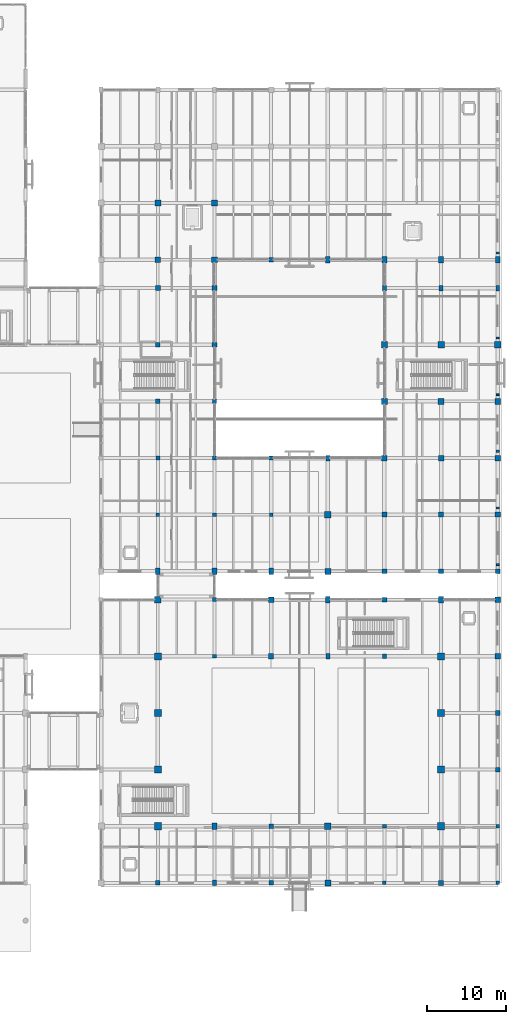
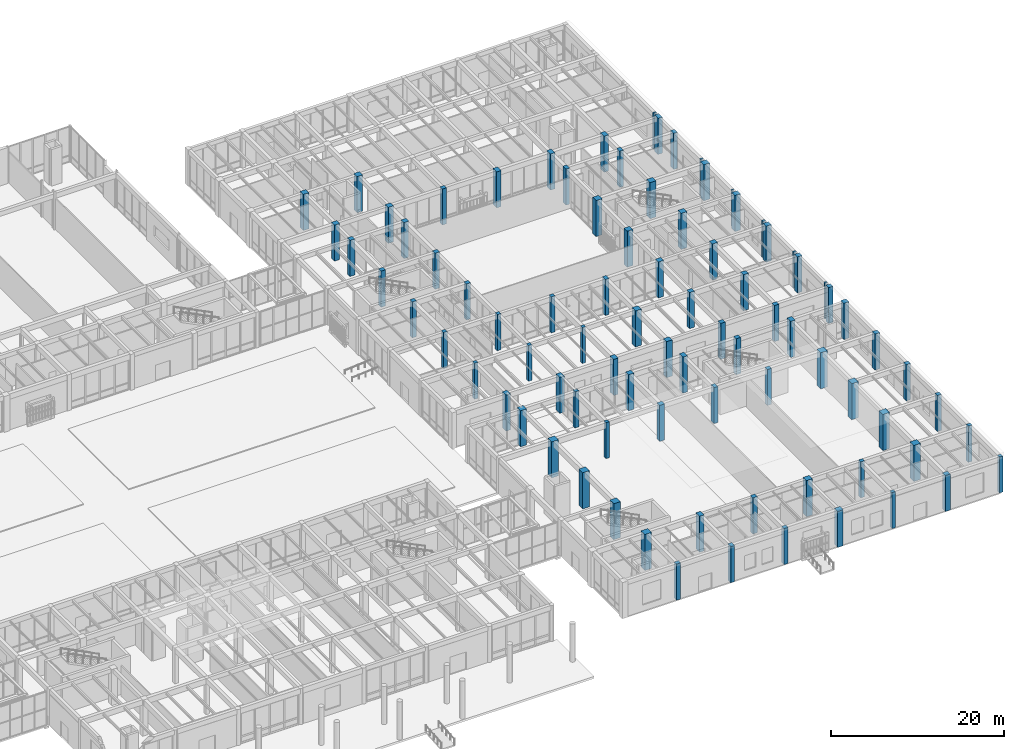
# One storey, part 16 of 169: 85 columns.
"""IFC4 building model written with IfcOpenShell, lengths in metres."""

from ifc_helpers import new_model, si_unit, direction, frame, origin, origin_2d, place, context, subcontext, project, spatial, rectangle, extrude, material, material_profile, profile_set, type_object, element, save


model = new_model("IFC4")

# Units and contexts
model_context = context("Model", 3, precision=1e-05, world=origin(), true_north=direction((0.0, 1.0)))
body_context = subcontext(model_context, "Body", "Model", "MODEL_VIEW")
ifc_project = project(units=[si_unit("LENGTHUNIT", "METRE"), si_unit("AREAUNIT", "SQUARE_METRE"), si_unit("VOLUMEUNIT", "CUBIC_METRE"), si_unit("PLANEANGLEUNIT", "RADIAN"), si_unit("MASSUNIT", "GRAM", prefix="KILO")], contexts=[model_context])

# Site, building, storey
site_placement = place(None, origin())
site = spatial("IfcSite", under=ifc_project, at=site_placement, CompositionType="ELEMENT")
building_placement = place(site_placement, origin())
building = spatial("IfcBuilding", under=site, at=building_placement, Name="Mazaris Harbour Polytechnic", CompositionType="ELEMENT")
storey_placement = place(building_placement, origin())
storey = spatial("IfcBuildingStorey", under=building, at=storey_placement, Name="L00", CompositionType="ELEMENT", Elevation=0.0)

# Columns
ifc_material_1 = material(Name="Concrete C35/45", Category="concrete")
ifc_material_profile_1 = material_profile(ifc_material_1, rectangle(XDim=0.320068359375, YDim=0.219970703125, at=origin_2d()), Name="RECT320x220")
ifc_profile_set_1 = profile_set([ifc_material_profile_1], Name="Concrete C35/45")
column_type_1 = type_object("IfcColumnType", Name="Limestone Pilaster 320x220", PredefinedType="PILASTER", material=ifc_profile_set_1)
column_1_placement = place(storey_placement, frame((172.800048828125, 69.25, 0.0), z_axis=(0.0, 0.0, 1.0), x_axis=(1.0, 0.0, 0.0)))
element("IfcColumn", 1, at=column_1_placement, inside=storey, type_object=column_type_1, Name="V5 L00 Giant Order Pilaster 60", PredefinedType="PILASTER", context=body_context, shape_type="SweptSolid", body=[
    extrude(rectangle(XDim=0.320068359375, YDim=0.219970703125, at=origin_2d()), origin(), (0.0, 0.0, 1.0), 5.10009765625),
])
ifc_material_2 = material(Name="Concrete C35/45", Category="concrete")
ifc_material_profile_2 = material_profile(ifc_material_2, rectangle(XDim=0.360107421875, YDim=0.239990234375, at=origin_2d()), Name="RECT360x240")
ifc_profile_set_2 = profile_set([ifc_material_profile_2], Name="Concrete C35/45")
column_type_2 = type_object("IfcColumnType", Name="Limestone Pilaster 360x240", PredefinedType="PILASTER", material=ifc_profile_set_2)
for number, where, z_axis, x_axis, name in (
    (2, (172.800048828125, 47.64990234375, 0.0), (0.0, 0.0, 1.0), (1.0, 0.0, 0.0), "V5 L00 Giant Order Pilaster 57"),
    (3, (172.800048828125, 76.449951171875, 0.0), (0.0, 0.0, 1.0), (1.0, 0.0, 0.0), "V5 L00 Giant Order Pilaster 61"),
):
    element("IfcColumn", number, at=place(storey_placement, frame(where, z_axis=z_axis, x_axis=x_axis)), inside=storey, type_object=column_type_2, Name=name, PredefinedType="PILASTER", context=body_context, shape_type="SweptSolid", body=[
        extrude(rectangle(XDim=0.360107421875, YDim=0.239990234375, at=origin_2d()), origin(), (0.0, 0.0, 1.0), 5.10009765625),
    ])
ifc_material_3 = material(Name="Concrete C35/45", Category="concrete")
ifc_material_profile_3 = material_profile(ifc_material_3, rectangle(XDim=0.39990234375, YDim=0.260009765625, at=origin_2d()), Name="RECT400x260")
ifc_profile_set_3 = profile_set([ifc_material_profile_3], Name="Concrete C35/45")
column_type_3 = type_object("IfcColumnType", Name="Limestone Pilaster 400x260", PredefinedType="PILASTER", material=ifc_profile_set_3)
for number, where, z_axis, x_axis, name in (
    (4, (172.800048828125, 54.85009765625, 0.0), (0.0, 0.0, 1.0), (1.0, 0.0, 0.0), "V5 L00 Giant Order Pilaster 58"),
    (5, (172.800048828125, 87.25, 0.0), (0.0, 0.0, 1.0), (1.0, 0.0, 0.0), "V5 L00 Giant Order Pilaster 62"),
):
    element("IfcColumn", number, at=place(storey_placement, frame(where, z_axis=z_axis, x_axis=x_axis)), inside=storey, type_object=column_type_3, Name=name, PredefinedType="PILASTER", context=body_context, shape_type="SweptSolid", body=[
        extrude(rectangle(XDim=0.39990234375, YDim=0.260009765625, at=origin_2d()), origin(), (0.0, 0.0, 1.0), 5.10009765625),
    ])
ifc_material_4 = material(Name="Concrete C35/45", Category="concrete")
ifc_material_profile_4 = material_profile(ifc_material_4, rectangle(XDim=0.43994140625, YDim=0.280029296875, at=origin_2d()), Name="RECT440x280")
ifc_profile_set_4 = profile_set([ifc_material_profile_4], Name="Concrete C35/45")
column_type_4 = type_object("IfcColumnType", Name="Limestone Pilaster 440x280", PredefinedType="PILASTER", material=ifc_profile_set_4)
column_2_placement = place(storey_placement, frame((172.800048828125, 62.050048828125, 0.0), z_axis=(0.0, 0.0, 1.0), x_axis=(1.0, 0.0, 0.0)))
element("IfcColumn", 6, at=column_2_placement, inside=storey, type_object=column_type_4, Name="V5 L00 Giant Order Pilaster 59", PredefinedType="PILASTER", context=body_context, shape_type="SweptSolid", body=[
    extrude(rectangle(XDim=0.43994140625, YDim=0.280029296875, at=origin_2d()), origin(), (0.0, 0.0, 1.0), 5.10009765625),
])
ifc_material_5 = material(Name="Concrete C40/50", Category="concrete")
ifc_material_profile_5 = material_profile(ifc_material_5, rectangle(XDim=0.449951171875, YDim=0.449951171875, at=origin_2d()), Name="RECT450x450")
ifc_profile_set_5 = profile_set([ifc_material_profile_5], Name="Concrete C40/50")
column_type_5 = type_object("IfcColumnType", Name="RC Column 450x450", PredefinedType="COLUMN", material=ifc_profile_set_5)
for number, where, z_axis, x_axis, name in (
    (7, (136.800048828125, 36.0, 0.0), (0.0, 0.0, 1.0), (1.0, 0.0, 0.0), "V2 L00 Column 239"),
    (8, (129.60009765625, 54.0, 0.0), (0.0, 0.0, 1.0), (1.0, 0.0, 0.0), "V5 L00 Column 1189"),
    (9, (136.800048828125, 54.0, 0.0), (0.0, 0.0, 1.0), (1.0, 0.0, 0.0), "V5 L00 Column 1199"),
    (10, (144.0, 54.0, 0.0), (0.0, 0.0, 1.0), (1.0, 0.0, 0.0), "V5 L00 Column 1209"),
):
    element("IfcColumn", number, at=place(storey_placement, frame(where, z_axis=z_axis, x_axis=x_axis)), inside=storey, type_object=column_type_5, Name=name, PredefinedType="COLUMN", context=body_context, shape_type="SweptSolid", body=[
        extrude(rectangle(XDim=0.449951171875, YDim=0.449951171875, at=origin_2d()), origin(), (0.0, 0.0, 1.0), 5.10009765625),
    ])
ifc_material_6 = material(Name="Concrete C40/50", Category="concrete")
ifc_material_profile_6 = material_profile(ifc_material_6, rectangle(XDim=0.449951171875, YDim=0.449951171875, at=origin_2d()), Name="RECT450x450")
ifc_profile_set_6 = profile_set([ifc_material_profile_6], Name="Concrete C40/50")
column_type_6 = type_object("IfcColumnType", Name="RC Column 450x450 Exterior", PredefinedType="COLUMN", material=ifc_profile_set_6)
for number, where, z_axis, x_axis, name in (
    (11, (158.39990234375, 7.199951171875, 0.0), (0.0, 0.0, 1.0), (1.0, 0.0, 0.0), "V2 L00 Column 249"),
    (12, (172.800048828125, 7.199951171875, 0.0), (0.0, 0.0, 1.0), (1.0, 0.0, 0.0), "V2 L00 Column 259"),
):
    element("IfcColumn", number, at=place(storey_placement, frame(where, z_axis=z_axis, x_axis=x_axis)), inside=storey, type_object=column_type_6, Name=name, PredefinedType="COLUMN", context=body_context, shape_type="SweptSolid", body=[
        extrude(rectangle(XDim=0.449951171875, YDim=0.449951171875, at=origin_2d()), origin(), (0.0, 0.0, 1.0), 5.10009765625),
    ])
ifc_material_7 = material(Name="Concrete C40/50", Category="concrete")
ifc_material_profile_7 = material_profile(ifc_material_7, rectangle(XDim=0.5, YDim=0.5, at=origin_2d()), Name="RECT500x500")
ifc_profile_set_7 = profile_set([ifc_material_profile_7], Name="Concrete C40/50")
column_type_7 = type_object("IfcColumnType", Name="RC Column 500x500", PredefinedType="COLUMN", material=ifc_profile_set_7)
for number, where, z_axis, x_axis, name in (
    (13, (158.39990234375, 14.39990234375, 0.0), (0.0, 0.0, 1.0), (1.0, 0.0, 0.0), "V2 L00 Column 250"),
    (14, (129.60009765625, 61.199951171875, 0.0), (0.0, 0.0, 1.0), (1.0, 0.0, 0.0), "V5 L00 Column 1190"),
    (15, (136.800048828125, 61.199951171875, 0.0), (0.0, 0.0, 1.0), (1.0, 0.0, 0.0), "V5 L00 Column 1200"),
    (16, (144.0, 61.199951171875, 0.0), (0.0, 0.0, 1.0), (1.0, 0.0, 0.0), "V5 L00 Column 1210"),
):
    element("IfcColumn", number, at=place(storey_placement, frame(where, z_axis=z_axis, x_axis=x_axis)), inside=storey, type_object=column_type_7, Name=name, PredefinedType="COLUMN", context=body_context, shape_type="SweptSolid", body=[
        extrude(rectangle(XDim=0.5, YDim=0.5, at=origin_2d()), origin(), (0.0, 0.0, 1.0), 5.10009765625),
    ])
ifc_material_8 = material(Name="Concrete C40/50", Category="concrete")
ifc_material_profile_8 = material_profile(ifc_material_8, rectangle(XDim=0.5, YDim=0.5, at=origin_2d()), Name="RECT500x500")
ifc_profile_set_8 = profile_set([ifc_material_profile_8], Name="Concrete C40/50")
column_type_8 = type_object("IfcColumnType", Name="RC Column 500x500 Exterior", PredefinedType="COLUMN", material=ifc_profile_set_8)
for number, where, z_axis, x_axis, name in (
    (17, (136.800048828125, 43.199951171875, 0.0), (0.0, 0.0, 1.0), (1.0, 0.0, 0.0), "V2 L00 Column 240"),
    (18, (172.800048828125, 14.39990234375, 0.0), (0.0, 0.0, 1.0), (1.0, 0.0, 0.0), "V2 L00 Column 260"),
):
    element("IfcColumn", number, at=place(storey_placement, frame(where, z_axis=z_axis, x_axis=x_axis)), inside=storey, type_object=column_type_8, Name=name, PredefinedType="COLUMN", context=body_context, shape_type="SweptSolid", body=[
        extrude(rectangle(XDim=0.5, YDim=0.5, at=origin_2d()), origin(), (0.0, 0.0, 1.0), 5.10009765625),
    ])
ifc_material_9 = material(Name="Concrete C40/50", Category="concrete")
ifc_material_profile_9 = material_profile(ifc_material_9, rectangle(XDim=0.5, YDim=0.699951171875, at=origin_2d()), Name="RECT500x700")
ifc_profile_set_9 = profile_set([ifc_material_profile_9], Name="Concrete C40/50")
column_type_9 = type_object("IfcColumnType", Name="RC Column 500x700", PredefinedType="COLUMN", material=ifc_profile_set_9)
for number, where, z_axis, x_axis, name in (
    (19, (151.199951171875, 36.0, 0.0), (0.0, 0.0, 1.0), (1.0, 0.0, 0.0), "V2 L00 Column 247"),
    (20, (151.199951171875, 61.199951171875, 0.0), (0.0, 0.0, 1.0), (1.0, 0.0, 0.0), "V5 L00 Column 1217"),
    (21, (158.39990234375, 82.800048828125, 0.0), (0.0, 0.0, 1.0), (1.0, 0.0, 0.0), "V5 L00 Column 1227"),
    (22, (165.60009765625, 82.800048828125, 0.0), (0.0, 0.0, 1.0), (1.0, 0.0, 0.0), "V5 L00 Column 1237"),
):
    element("IfcColumn", number, at=place(storey_placement, frame(where, z_axis=z_axis, x_axis=x_axis)), inside=storey, type_object=column_type_9, Name=name, PredefinedType="COLUMN", context=body_context, shape_type="SweptSolid", body=[
        extrude(rectangle(XDim=0.5, YDim=0.699951171875, at=origin_2d()), origin(), (0.0, 0.0, 1.0), 5.10009765625),
    ])
ifc_material_10 = material(Name="Concrete C40/50", Category="concrete")
ifc_material_profile_10 = material_profile(ifc_material_10, rectangle(XDim=0.5, YDim=0.699951171875, at=origin_2d()), Name="RECT500x700")
ifc_profile_set_10 = profile_set([ifc_material_profile_10], Name="Concrete C40/50")
column_type_10 = type_object("IfcColumnType", Name="RC Column 500x700 Exterior", PredefinedType="COLUMN", material=ifc_profile_set_10)
for number, where, z_axis, x_axis, name in (
    (23, (136.800048828125, 7.199951171875, 0.0), (0.0, 0.0, 1.0), (1.0, 0.0, 0.0), "V2 L00 Column 237"),
    (24, (172.800048828125, 82.800048828125, 0.0), (0.0, 0.0, 1.0), (1.0, 0.0, 0.0), "V5 L00 Column 1247"),
):
    element("IfcColumn", number, at=place(storey_placement, frame(where, z_axis=z_axis, x_axis=x_axis)), inside=storey, type_object=column_type_10, Name=name, PredefinedType="COLUMN", context=body_context, shape_type="SweptSolid", body=[
        extrude(rectangle(XDim=0.5, YDim=0.699951171875, at=origin_2d()), origin(), (0.0, 0.0, 1.0), 5.10009765625),
    ])
ifc_material_11 = material(Name="Concrete C40/50", Category="concrete")
ifc_material_profile_11 = material_profile(ifc_material_11, rectangle(XDim=0.550048828125, YDim=0.550048828125, at=origin_2d()), Name="RECT550x550")
ifc_profile_set_11 = profile_set([ifc_material_profile_11], Name="Concrete C40/50")
column_type_11 = type_object("IfcColumnType", Name="RC Column 550x550", PredefinedType="COLUMN", material=ifc_profile_set_11)
for number, where, z_axis, x_axis, name in (
    (25, (158.39990234375, 36.0, 0.0), (0.0, 0.0, 1.0), (1.0, 0.0, 0.0), "V2 L00 Column 251"),
    (26, (129.60009765625, 68.39990234375, 0.0), (0.0, 0.0, 1.0), (1.0, 0.0, 0.0), "V5 L00 Column 1191"),
    (27, (136.800048828125, 68.39990234375, 0.0), (0.0, 0.0, 1.0), (1.0, 0.0, 0.0), "V5 L00 Column 1201"),
    (28, (144.0, 86.39990234375, 0.0), (0.0, 0.0, 1.0), (1.0, 0.0, 0.0), "V5 L00 Column 1211"),
):
    element("IfcColumn", number, at=place(storey_placement, frame(where, z_axis=z_axis, x_axis=x_axis)), inside=storey, type_object=column_type_11, Name=name, PredefinedType="COLUMN", context=body_context, shape_type="SweptSolid", body=[
        extrude(rectangle(XDim=0.550048828125, YDim=0.550048828125, at=origin_2d()), origin(), (0.0, 0.0, 1.0), 5.10009765625),
    ])
ifc_material_12 = material(Name="Concrete C40/50", Category="concrete")
ifc_material_profile_12 = material_profile(ifc_material_12, rectangle(XDim=0.550048828125, YDim=0.550048828125, at=origin_2d()), Name="RECT550x550")
ifc_profile_set_12 = profile_set([ifc_material_profile_12], Name="Concrete C40/50")
column_type_12 = type_object("IfcColumnType", Name="RC Column 550x550 Exterior", PredefinedType="COLUMN", material=ifc_profile_set_12)
for number, where, z_axis, x_axis, name in (
    (29, (129.60009765625, 7.199951171875, 0.0), (0.0, 0.0, 1.0), (1.0, 0.0, 0.0), "V2 L00 Column 231"),
    (30, (144.0, 7.199951171875, 0.0), (0.0, 0.0, 1.0), (1.0, 0.0, 0.0), "V2 L00 Column 241"),
    (31, (172.800048828125, 21.60009765625, 0.0), (0.0, 0.0, 1.0), (1.0, 0.0, 0.0), "V2 L00 Column 261"),
):
    element("IfcColumn", number, at=place(storey_placement, frame(where, z_axis=z_axis, x_axis=x_axis)), inside=storey, type_object=column_type_12, Name=name, PredefinedType="COLUMN", context=body_context, shape_type="SweptSolid", body=[
        extrude(rectangle(XDim=0.550048828125, YDim=0.550048828125, at=origin_2d()), origin(), (0.0, 0.0, 1.0), 5.10009765625),
    ])
ifc_material_13 = material(Name="Concrete C40/50", Category="concrete")
ifc_material_profile_13 = material_profile(ifc_material_13, rectangle(XDim=0.60009765625, YDim=0.60009765625, at=origin_2d()), Name="RECT600x600")
ifc_profile_set_13 = profile_set([ifc_material_profile_13], Name="Concrete C40/50")
column_type_13 = type_object("IfcColumnType", Name="RC Column 600x600", PredefinedType="COLUMN", material=ifc_profile_set_13)
for number, where, z_axis, x_axis, name in (
    (32, (144.0, 14.39990234375, 0.0), (0.0, 0.0, 1.0), (1.0, 0.0, 0.0), "V2 L00 Column 242"),
    (33, (129.60009765625, 75.60009765625, 0.0), (0.0, 0.0, 1.0), (1.0, 0.0, 0.0), "V5 L00 Column 1192"),
    (34, (136.800048828125, 75.60009765625, 0.0), (0.0, 0.0, 1.0), (1.0, 0.0, 0.0), "V5 L00 Column 1202"),
):
    element("IfcColumn", number, at=place(storey_placement, frame(where, z_axis=z_axis, x_axis=x_axis)), inside=storey, type_object=column_type_13, Name=name, PredefinedType="COLUMN", context=body_context, shape_type="SweptSolid", body=[
        extrude(rectangle(XDim=0.60009765625, YDim=0.60009765625, at=origin_2d()), origin(), (0.0, 0.0, 1.0), 5.10009765625),
    ])
ifc_material_14 = material(Name="Concrete C40/50", Category="concrete")
ifc_material_profile_14 = material_profile(ifc_material_14, rectangle(XDim=0.60009765625, YDim=0.60009765625, at=origin_2d()), Name="RECT600x600")
ifc_profile_set_14 = profile_set([ifc_material_profile_14], Name="Concrete C40/50")
column_type_14 = type_object("IfcColumnType", Name="RC Column 600x600 Exterior", PredefinedType="COLUMN", material=ifc_profile_set_14)
for number, where, z_axis, x_axis, name in (
    (35, (158.39990234375, 43.199951171875, 0.0), (0.0, 0.0, 1.0), (1.0, 0.0, 0.0), "V2 L00 Column 252"),
    (36, (172.800048828125, 28.800048828125, 0.0), (0.0, 0.0, 1.0), (1.0, 0.0, 0.0), "V2 L00 Column 262"),
    (37, (158.39990234375, 46.800048828125, 0.0), (0.0, 0.0, 1.0), (1.0, 0.0, 0.0), "V5 L00 Column 1222"),
    (38, (165.60009765625, 46.800048828125, 0.0), (0.0, 0.0, 1.0), (1.0, 0.0, 0.0), "V5 L00 Column 1232"),
    (39, (172.800048828125, 46.800048828125, 0.0), (0.0, 0.0, 1.0), (1.0, 0.0, 0.0), "V5 L00 Column 1242"),
):
    element("IfcColumn", number, at=place(storey_placement, frame(where, z_axis=z_axis, x_axis=x_axis)), inside=storey, type_object=column_type_14, Name=name, PredefinedType="COLUMN", context=body_context, shape_type="SweptSolid", body=[
        extrude(rectangle(XDim=0.60009765625, YDim=0.60009765625, at=origin_2d()), origin(), (0.0, 0.0, 1.0), 5.10009765625),
    ])
ifc_material_15 = material(Name="Concrete C40/50", Category="concrete")
ifc_material_profile_15 = material_profile(ifc_material_15, rectangle(XDim=0.60009765625, YDim=0.85009765625, at=origin_2d()), Name="RECT600x850")
ifc_profile_set_15 = profile_set([ifc_material_profile_15], Name="Concrete C40/50")
column_type_15 = type_object("IfcColumnType", Name="RC Column 600x850", PredefinedType="COLUMN", material=ifc_profile_set_15)
for number, where, z_axis, x_axis, name in (
    (40, (136.800048828125, 14.39990234375, 0.0), (0.0, 0.0, 1.0), (1.0, 0.0, 0.0), "V2 L00 Column 238"),
    (41, (151.199951171875, 86.39990234375, 0.0), (0.0, 0.0, 1.0), (1.0, 0.0, 0.0), "V5 L00 Column 1218"),
    (42, (158.39990234375, 86.39990234375, 0.0), (0.0, 0.0, 1.0), (1.0, 0.0, 0.0), "V5 L00 Column 1228"),
    (43, (165.60009765625, 86.39990234375, 0.0), (0.0, 0.0, 1.0), (1.0, 0.0, 0.0), "V5 L00 Column 1238"),
):
    element("IfcColumn", number, at=place(storey_placement, frame(where, z_axis=z_axis, x_axis=x_axis)), inside=storey, type_object=column_type_15, Name=name, PredefinedType="COLUMN", context=body_context, shape_type="SweptSolid", body=[
        extrude(rectangle(XDim=0.60009765625, YDim=0.85009765625, at=origin_2d()), origin(), (0.0, 0.0, 1.0), 5.10009765625),
    ])
ifc_material_16 = material(Name="Concrete C40/50", Category="concrete")
ifc_material_profile_16 = material_profile(ifc_material_16, rectangle(XDim=0.60009765625, YDim=0.85009765625, at=origin_2d()), Name="RECT600x850")
ifc_profile_set_16 = profile_set([ifc_material_profile_16], Name="Concrete C40/50")
column_type_16 = type_object("IfcColumnType", Name="RC Column 600x850 Exterior", PredefinedType="COLUMN", material=ifc_profile_set_16)
for number, where, z_axis, x_axis, name in (
    (44, (151.199951171875, 43.199951171875, 0.0), (0.0, 0.0, 1.0), (1.0, 0.0, 0.0), "V2 L00 Column 248"),
    (45, (165.60009765625, 43.199951171875, 0.0), (0.0, 0.0, 1.0), (1.0, 0.0, 0.0), "V2 L00 Column 258"),
    (46, (129.60009765625, 46.800048828125, 0.0), (0.0, 0.0, 1.0), (1.0, 0.0, 0.0), "V5 L00 Column 1188"),
    (47, (136.800048828125, 46.800048828125, 0.0), (0.0, 0.0, 1.0), (1.0, 0.0, 0.0), "V5 L00 Column 1198"),
    (48, (144.0, 46.800048828125, 0.0), (0.0, 0.0, 1.0), (1.0, 0.0, 0.0), "V5 L00 Column 1208"),
    (49, (172.800048828125, 86.39990234375, 0.0), (0.0, 0.0, 1.0), (1.0, 0.0, 0.0), "V5 L00 Column 1248"),
):
    element("IfcColumn", number, at=place(storey_placement, frame(where, z_axis=z_axis, x_axis=x_axis)), inside=storey, type_object=column_type_16, Name=name, PredefinedType="COLUMN", context=body_context, shape_type="SweptSolid", body=[
        extrude(rectangle(XDim=0.60009765625, YDim=0.85009765625, at=origin_2d()), origin(), (0.0, 0.0, 1.0), 5.10009765625),
    ])
ifc_material_17 = material(Name="Concrete C40/50", Category="concrete")
ifc_material_profile_17 = material_profile(ifc_material_17, rectangle(XDim=0.64990234375, YDim=0.64990234375, at=origin_2d()), Name="RECT650x650")
ifc_profile_set_17 = profile_set([ifc_material_profile_17], Name="Concrete C40/50")
column_type_17 = type_object("IfcColumnType", Name="RC Column 650x650", PredefinedType="COLUMN", material=ifc_profile_set_17)
for number, where, z_axis, x_axis, name in (
    (50, (144.0, 36.0, 0.0), (0.0, 0.0, 1.0), (1.0, 0.0, 0.0), "V2 L00 Column 243"),
    (51, (129.60009765625, 82.800048828125, 0.0), (0.0, 0.0, 1.0), (1.0, 0.0, 0.0), "V5 L00 Column 1193"),
    (52, (136.800048828125, 82.800048828125, 0.0), (0.0, 0.0, 1.0), (1.0, 0.0, 0.0), "V5 L00 Column 1203"),
    (53, (158.39990234375, 54.0, 0.0), (0.0, 0.0, 1.0), (1.0, 0.0, 0.0), "V5 L00 Column 1223"),
    (54, (165.60009765625, 54.0, 0.0), (0.0, 0.0, 1.0), (1.0, 0.0, 0.0), "V5 L00 Column 1233"),
):
    element("IfcColumn", number, at=place(storey_placement, frame(where, z_axis=z_axis, x_axis=x_axis)), inside=storey, type_object=column_type_17, Name=name, PredefinedType="COLUMN", context=body_context, shape_type="SweptSolid", body=[
        extrude(rectangle(XDim=0.64990234375, YDim=0.64990234375, at=origin_2d()), origin(), (0.0, 0.0, 1.0), 5.10009765625),
    ])
ifc_material_18 = material(Name="Concrete C40/50", Category="concrete")
ifc_material_profile_18 = material_profile(ifc_material_18, rectangle(XDim=0.64990234375, YDim=0.64990234375, at=origin_2d()), Name="RECT650x650")
ifc_profile_set_18 = profile_set([ifc_material_profile_18], Name="Concrete C40/50")
column_type_18 = type_object("IfcColumnType", Name="RC Column 650x650 Exterior", PredefinedType="COLUMN", material=ifc_profile_set_18)
for number, where, z_axis, x_axis, name in (
    (55, (165.60009765625, 7.199951171875, 0.0), (0.0, 0.0, 1.0), (1.0, 0.0, 0.0), "V2 L00 Column 253"),
    (56, (172.800048828125, 36.0, 0.0), (0.0, 0.0, 1.0), (1.0, 0.0, 0.0), "V2 L00 Column 263"),
    (57, (172.800048828125, 54.0, 0.0), (0.0, 0.0, 1.0), (1.0, 0.0, 0.0), "V5 L00 Column 1243"),
):
    element("IfcColumn", number, at=place(storey_placement, frame(where, z_axis=z_axis, x_axis=x_axis)), inside=storey, type_object=column_type_18, Name=name, PredefinedType="COLUMN", context=body_context, shape_type="SweptSolid", body=[
        extrude(rectangle(XDim=0.64990234375, YDim=0.64990234375, at=origin_2d()), origin(), (0.0, 0.0, 1.0), 5.10009765625),
    ])
ifc_material_19 = material(Name="Concrete C40/50", Category="concrete")
ifc_material_profile_19 = material_profile(ifc_material_19, rectangle(XDim=0.699951171875, YDim=0.699951171875, at=origin_2d()), Name="RECT700x700")
ifc_profile_set_19 = profile_set([ifc_material_profile_19], Name="Concrete C40/50")
column_type_19 = type_object("IfcColumnType", Name="RC Column 700x700", PredefinedType="COLUMN", material=ifc_profile_set_19)
for number, where, z_axis, x_axis, name in (
    (58, (129.60009765625, 86.39990234375, 0.0), (0.0, 0.0, 1.0), (1.0, 0.0, 0.0), "V5 L00 Column 1194"),
    (59, (136.800048828125, 86.39990234375, 0.0), (0.0, 0.0, 1.0), (1.0, 0.0, 0.0), "V5 L00 Column 1204"),
    (60, (158.39990234375, 61.199951171875, 0.0), (0.0, 0.0, 1.0), (1.0, 0.0, 0.0), "V5 L00 Column 1224"),
    (61, (165.60009765625, 61.199951171875, 0.0), (0.0, 0.0, 1.0), (1.0, 0.0, 0.0), "V5 L00 Column 1234"),
):
    element("IfcColumn", number, at=place(storey_placement, frame(where, z_axis=z_axis, x_axis=x_axis)), inside=storey, type_object=column_type_19, Name=name, PredefinedType="COLUMN", context=body_context, shape_type="SweptSolid", body=[
        extrude(rectangle(XDim=0.699951171875, YDim=0.699951171875, at=origin_2d()), origin(), (0.0, 0.0, 1.0), 5.10009765625),
    ])
ifc_material_20 = material(Name="Concrete C40/50", Category="concrete")
ifc_material_profile_20 = material_profile(ifc_material_20, rectangle(XDim=0.699951171875, YDim=0.699951171875, at=origin_2d()), Name="RECT700x700")
ifc_profile_set_20 = profile_set([ifc_material_profile_20], Name="Concrete C40/50")
column_type_20 = type_object("IfcColumnType", Name="RC Column 700x700 Exterior", PredefinedType="COLUMN", material=ifc_profile_set_20)
for number, where, z_axis, x_axis, name in (
    (62, (144.0, 43.199951171875, 0.0), (0.0, 0.0, 1.0), (1.0, 0.0, 0.0), "V2 L00 Column 244"),
    (63, (172.800048828125, 43.199951171875, 0.0), (0.0, 0.0, 1.0), (1.0, 0.0, 0.0), "V2 L00 Column 264"),
    (64, (172.800048828125, 61.199951171875, 0.0), (0.0, 0.0, 1.0), (1.0, 0.0, 0.0), "V5 L00 Column 1244"),
):
    element("IfcColumn", number, at=place(storey_placement, frame(where, z_axis=z_axis, x_axis=x_axis)), inside=storey, type_object=column_type_20, Name=name, PredefinedType="COLUMN", context=body_context, shape_type="SweptSolid", body=[
        extrude(rectangle(XDim=0.699951171875, YDim=0.699951171875, at=origin_2d()), origin(), (0.0, 0.0, 1.0), 5.10009765625),
    ])
ifc_material_21 = material(Name="Concrete C40/50", Category="concrete")
ifc_material_profile_21 = material_profile(ifc_material_21, rectangle(XDim=0.75, YDim=0.75, at=origin_2d()), Name="RECT750x750")
ifc_profile_set_21 = profile_set([ifc_material_profile_21], Name="Concrete C40/50")
column_type_21 = type_object("IfcColumnType", Name="RC Column 750x750", PredefinedType="COLUMN", material=ifc_profile_set_21)
for number, where, z_axis, x_axis, name in (
    (65, (129.60009765625, 93.60009765625, 0.0), (0.0, 0.0, 1.0), (1.0, 0.0, 0.0), "V5 L00 Column 1195"),
    (66, (136.800048828125, 93.60009765625, 0.0), (0.0, 0.0, 1.0), (1.0, 0.0, 0.0), "V5 L00 Column 1205"),
    (67, (158.39990234375, 68.39990234375, 0.0), (0.0, 0.0, 1.0), (1.0, 0.0, 0.0), "V5 L00 Column 1225"),
    (68, (165.60009765625, 68.39990234375, 0.0), (0.0, 0.0, 1.0), (1.0, 0.0, 0.0), "V5 L00 Column 1235"),
):
    element("IfcColumn", number, at=place(storey_placement, frame(where, z_axis=z_axis, x_axis=x_axis)), inside=storey, type_object=column_type_21, Name=name, PredefinedType="COLUMN", context=body_context, shape_type="SweptSolid", body=[
        extrude(rectangle(XDim=0.75, YDim=0.75, at=origin_2d()), origin(), (0.0, 0.0, 1.0), 5.10009765625),
    ])
ifc_material_22 = material(Name="Concrete C40/50", Category="concrete")
ifc_material_profile_22 = material_profile(ifc_material_22, rectangle(XDim=0.75, YDim=0.75, at=origin_2d()), Name="RECT750x750")
ifc_profile_set_22 = profile_set([ifc_material_profile_22], Name="Concrete C40/50")
column_type_22 = type_object("IfcColumnType", Name="RC Column 750x750 Exterior", PredefinedType="COLUMN", material=ifc_profile_set_22)
for number, where, z_axis, x_axis, name in (
    (69, (151.199951171875, 7.199951171875, 0.0), (0.0, 0.0, 1.0), (1.0, 0.0, 0.0), "V2 L00 Column 245"),
    (70, (151.199951171875, 46.800048828125, 0.0), (0.0, 0.0, 1.0), (1.0, 0.0, 0.0), "V5 L00 Column 1215"),
    (71, (172.800048828125, 68.39990234375, 0.0), (0.0, 0.0, 1.0), (1.0, 0.0, 0.0), "V5 L00 Column 1245"),
):
    element("IfcColumn", number, at=place(storey_placement, frame(where, z_axis=z_axis, x_axis=x_axis)), inside=storey, type_object=column_type_22, Name=name, PredefinedType="COLUMN", context=body_context, shape_type="SweptSolid", body=[
        extrude(rectangle(XDim=0.75, YDim=0.75, at=origin_2d()), origin(), (0.0, 0.0, 1.0), 5.10009765625),
    ])
ifc_material_23 = material(Name="Concrete C40/50", Category="concrete")
ifc_material_profile_23 = material_profile(ifc_material_23, rectangle(XDim=0.800048828125, YDim=0.800048828125, at=origin_2d()), Name="RECT800x800")
ifc_profile_set_23 = profile_set([ifc_material_profile_23], Name="Concrete C40/50")
column_type_23 = type_object("IfcColumnType", Name="RC Column 800x800", PredefinedType="COLUMN", material=ifc_profile_set_23)
for number, where, z_axis, x_axis, name in (
    (72, (151.199951171875, 14.39990234375, 0.0), (0.0, 0.0, 1.0), (1.0, 0.0, 0.0), "V2 L00 Column 246"),
    (73, (151.199951171875, 54.0, 0.0), (0.0, 0.0, 1.0), (1.0, 0.0, 0.0), "V5 L00 Column 1216"),
    (74, (158.39990234375, 75.60009765625, 0.0), (0.0, 0.0, 1.0), (1.0, 0.0, 0.0), "V5 L00 Column 1226"),
    (75, (165.60009765625, 75.60009765625, 0.0), (0.0, 0.0, 1.0), (1.0, 0.0, 0.0), "V5 L00 Column 1236"),
):
    element("IfcColumn", number, at=place(storey_placement, frame(where, z_axis=z_axis, x_axis=x_axis)), inside=storey, type_object=column_type_23, Name=name, PredefinedType="COLUMN", context=body_context, shape_type="SweptSolid", body=[
        extrude(rectangle(XDim=0.800048828125, YDim=0.800048828125, at=origin_2d()), origin(), (0.0, 0.0, 1.0), 5.10009765625),
    ])
ifc_material_24 = material(Name="Concrete C40/50", Category="concrete")
ifc_material_profile_24 = material_profile(ifc_material_24, rectangle(XDim=0.800048828125, YDim=0.800048828125, at=origin_2d()), Name="RECT800x800")
ifc_profile_set_24 = profile_set([ifc_material_profile_24], Name="Concrete C40/50")
column_type_24 = type_object("IfcColumnType", Name="RC Column 800x800 Exterior", PredefinedType="COLUMN", material=ifc_profile_set_24)
for number, where, z_axis, x_axis, name in (
    (76, (129.60009765625, 43.199951171875, 0.0), (0.0, 0.0, 1.0), (1.0, 0.0, 0.0), "V2 L00 Column 236"),
    (77, (172.800048828125, 75.60009765625, 0.0), (0.0, 0.0, 1.0), (1.0, 0.0, 0.0), "V5 L00 Column 1246"),
):
    element("IfcColumn", number, at=place(storey_placement, frame(where, z_axis=z_axis, x_axis=x_axis)), inside=storey, type_object=column_type_24, Name=name, PredefinedType="COLUMN", context=body_context, shape_type="SweptSolid", body=[
        extrude(rectangle(XDim=0.800048828125, YDim=0.800048828125, at=origin_2d()), origin(), (0.0, 0.0, 1.0), 5.10009765625),
    ])
ifc_material_25 = material(Name="Concrete C40/50", Category="concrete")
ifc_material_profile_25 = material_profile(ifc_material_25, rectangle(XDim=0.89990234375, YDim=0.89990234375, at=origin_2d()), Name="RECT900x900")
ifc_profile_set_25 = profile_set([ifc_material_profile_25], Name="Concrete C40/50")
column_type_25 = type_object("IfcColumnType", Name="RC Column 900x900", PredefinedType="COLUMN", material=ifc_profile_set_25)
for number, where, z_axis, x_axis, name in (
    (78, (129.60009765625, 14.39990234375, 0.0), (0.0, 0.0, 1.0), (1.0, 0.0, 0.0), "V2 L00 Column 232"),
    (79, (129.60009765625, 21.60009765625, 0.0), (0.0, 0.0, 1.0), (1.0, 0.0, 0.0), "V2 L00 Column 233"),
    (80, (129.60009765625, 28.800048828125, 0.0), (0.0, 0.0, 1.0), (1.0, 0.0, 0.0), "V2 L00 Column 234"),
    (81, (129.60009765625, 36.0, 0.0), (0.0, 0.0, 1.0), (1.0, 0.0, 0.0), "V2 L00 Column 235"),
    (82, (165.60009765625, 14.39990234375, 0.0), (0.0, 0.0, 1.0), (1.0, 0.0, 0.0), "V2 L00 Column 254"),
    (83, (165.60009765625, 21.60009765625, 0.0), (0.0, 0.0, 1.0), (1.0, 0.0, 0.0), "V2 L00 Column 255"),
    (84, (165.60009765625, 28.800048828125, 0.0), (0.0, 0.0, 1.0), (1.0, 0.0, 0.0), "V2 L00 Column 256"),
    (85, (165.60009765625, 36.0, 0.0), (0.0, 0.0, 1.0), (1.0, 0.0, 0.0), "V2 L00 Column 257"),
):
    element("IfcColumn", number, at=place(storey_placement, frame(where, z_axis=z_axis, x_axis=x_axis)), inside=storey, type_object=column_type_25, Name=name, PredefinedType="COLUMN", context=body_context, shape_type="SweptSolid", body=[
        extrude(rectangle(XDim=0.89990234375, YDim=0.89990234375, at=origin_2d()), origin(), (0.0, 0.0, 1.0), 5.10009765625),
    ])

save(model, "model.ifc")
